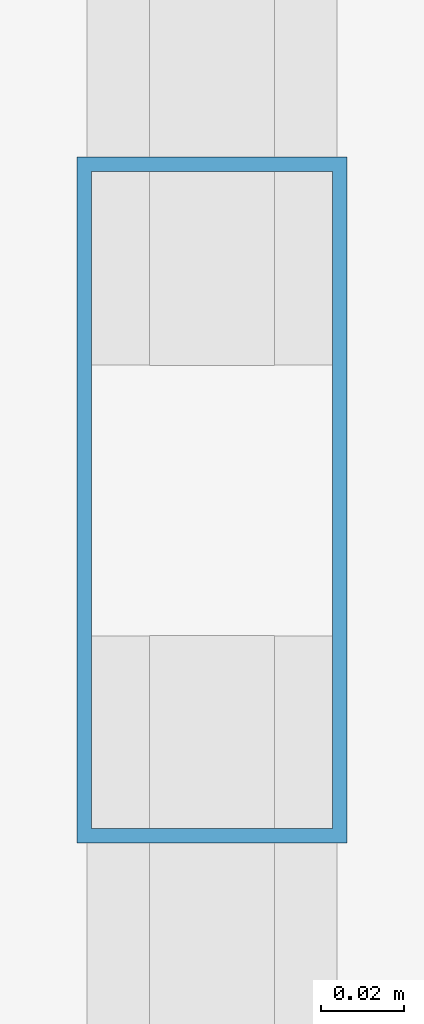
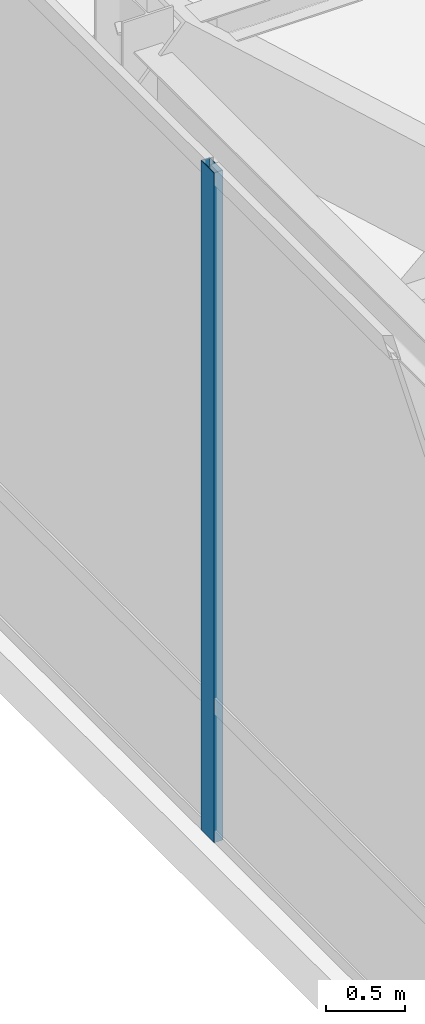
# One storey, part 7 of 21: 1 member, 1 element without a shape of its own.
"""IFC4 building model written with IfcOpenShell, lengths in metres."""

from ifc_helpers import new_model, si_unit, direction, frame, origin, origin_2d, place, context, subcontext, project, spatial, hollow_rectangle, extrude, source, transform, mapped, material, layer, layer_set, material_profile, profile_set, type_object, type_shapes, element, aggregate, save


model = new_model("IFC4")

# Units and contexts
model_context = context("Model", 3, precision=1e-05, world=origin(), true_north=direction((0.0, 1.0)))
body_context = subcontext(model_context, "Body", "Model", "MODEL_VIEW")
ifc_project = project(units=[si_unit("LENGTHUNIT", "METRE"), si_unit("AREAUNIT", "SQUARE_METRE"), si_unit("VOLUMEUNIT", "CUBIC_METRE"), si_unit("PLANEANGLEUNIT", "RADIAN"), si_unit("MASSUNIT", "GRAM", prefix="KILO")], contexts=[model_context])

# Site, building, storey
site_placement = place(None, origin())
site = spatial("IfcSite", under=ifc_project, at=site_placement, CompositionType="ELEMENT")
building_placement = place(site_placement, origin())
building = spatial("IfcBuilding", under=site, at=building_placement, Name="Varnel Quay Broadcast Tower", CompositionType="ELEMENT")
storey_placement = place(building_placement, frame((0.0, 0.0, 234.0)))
storey = spatial("IfcBuildingStorey", under=building, at=storey_placement, Name="L58", CompositionType="ELEMENT", Elevation=234.0)

# Curtain wall, member
ifc_material = material(Name="Anodised Bronze Aluminium 6063-T6", Category="aluminium")
ifc_layer = layer(ifc_material, 0.18994140625, Name="Anodised Bronze Aluminium 6063-T6")
ifc_layer_set = layer_set([ifc_layer], Name="Anodised Bronze Aluminium 6063-T6")
curtain_wall_type = type_object("IfcCurtainWallType", Name="CW_UpperTower", PredefinedType="NOTDEFINED", material=ifc_layer_set)
curtain_wall_placement = place(storey_placement, origin())
curtain_wall = element("IfcCurtainWall", 1, at=curtain_wall_placement, inside=storey, type_object=curtain_wall_type, Name="L58 West Plant Curtain Wall", PredefinedType="NOTDEFINED")
ifc_material_profile = material_profile(ifc_material, hollow_rectangle(XDim=0.06494140625, YDim=0.1650390625, WallThickness=0.00341796875, at=origin_2d()), Name="ALU65X165X3.5")
ifc_profile_set = profile_set([ifc_material_profile], Name="Anodised Bronze Aluminium 6063-T6")
member_type = type_object("IfcMemberType", Name="Mull_CWS-03", PredefinedType="MULLION", material=ifc_profile_set)
shared_shape = source(origin(), body_context, "Body", "SweptSolid", [
    extrude(hollow_rectangle(XDim=0.06494140625, YDim=0.1650390625, WallThickness=0.00341796875, at=origin_2d()), origin(), (0.0, 0.0, 1.0), 5.14990234375),
])
type_shapes(member_type, [shared_shape])
member_placement = place(storey_placement, frame((9.64990234375, 34.10009765625, 0.0), z_axis=(0.0, 0.0, 1.0), x_axis=(-1.0, 0.0, 0.0)))
member = element("IfcMember", 2, at=member_placement, type_object=member_type, Name="CWS-03 mullion 2", PredefinedType="MULLION", context=body_context, shape_type="MappedRepresentation", body=[
    mapped(shared_shape, transform((0.0, 0.0, 0.0), x_axis=(1.0, 0.0, 0.0), y_axis=(0.0, 1.0, 0.0), z_axis=(0.0, 0.0, 1.0), scale=1.0)),
])
aggregate(curtain_wall, [member])

save(model, "model.ifc")
